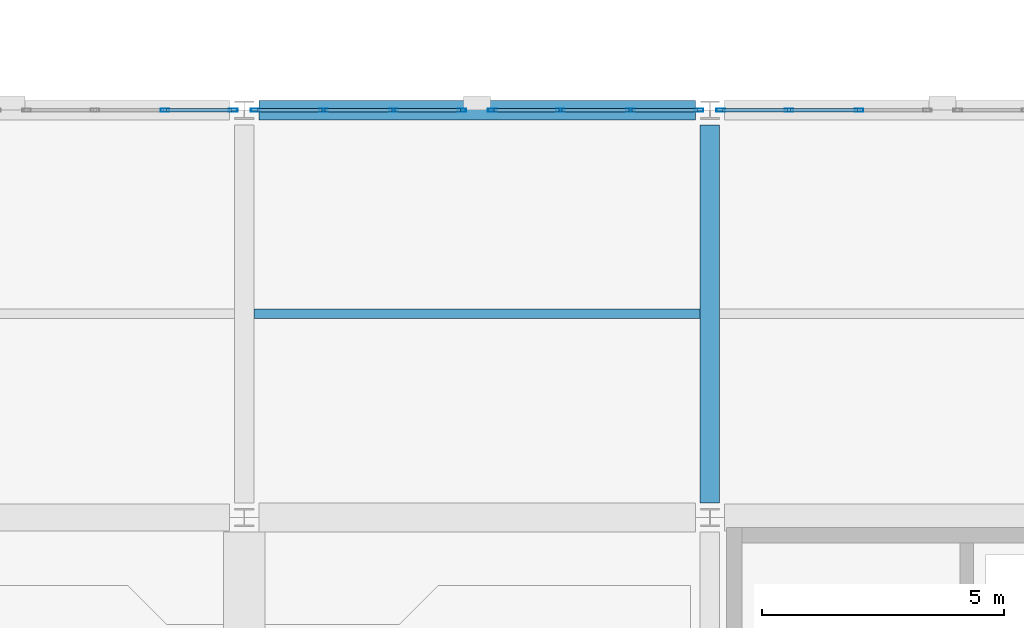
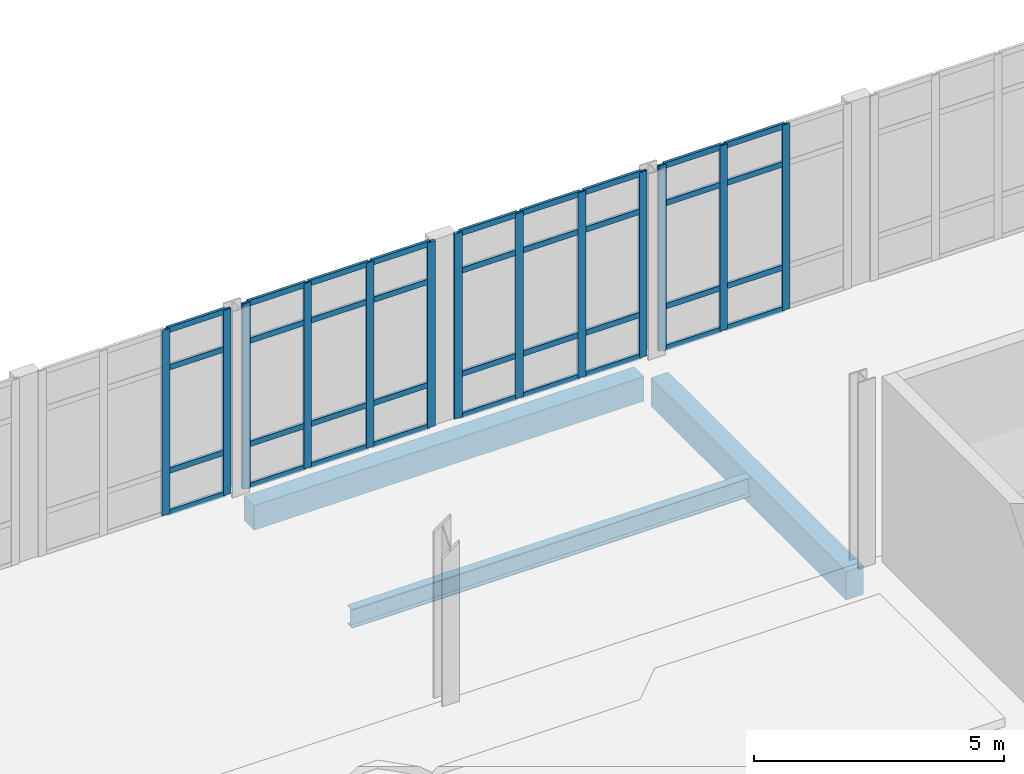
# One storey, part 57 of 102: 49 members, 3 beams, 4 elements without a shape of their own.
"""IFC4 building model written with IfcOpenShell, lengths in metres."""

from ifc_helpers import new_model, si_unit, direction, frame, origin, origin_2d, place, context, subcontext, project, spatial, rectangle, hollow_rectangle, i_section, extrude, material, layer, layer_set, material_profile, profile_set, type_object, element, aggregate, save


model = new_model("IFC4")

# Units and contexts
model_context = context("Model", 3, precision=1e-05, world=origin(), true_north=direction((0.0, 1.0)))
body_context = subcontext(model_context, "Body", "Model", "MODEL_VIEW")
ifc_project = project(units=[si_unit("LENGTHUNIT", "METRE"), si_unit("AREAUNIT", "SQUARE_METRE"), si_unit("VOLUMEUNIT", "CUBIC_METRE"), si_unit("PLANEANGLEUNIT", "RADIAN"), si_unit("MASSUNIT", "GRAM", prefix="KILO")], contexts=[model_context])

# Site, building, storey
site_placement = place(None, origin())
site = spatial("IfcSite", under=ifc_project, at=site_placement, CompositionType="ELEMENT")
building_placement = place(site_placement, origin())
building = spatial("IfcBuilding", under=site, at=building_placement, Name="Lornevale Opera House", CompositionType="ELEMENT")
storey_placement = place(building_placement, frame((0.0, 0.0, 5.39990234375)))
storey = spatial("IfcBuildingStorey", under=building, at=storey_placement, Name="L02", CompositionType="ELEMENT", Elevation=5.39990234375)

# Beams
ifc_material_1 = material(Name="Concrete 35 MPa (CSA A23.1 N)", Category="concrete")
ifc_material_profile_1 = material_profile(ifc_material_1, rectangle(XDim=0.39990234375, YDim=0.699951171875, at=origin_2d()), Name="RC400x700")
ifc_profile_set_1 = profile_set([ifc_material_profile_1], Name="Concrete 35 MPa (CSA A23.1 N)")
beam_type_1 = type_object("IfcBeamType", Name="Concrete Floor Beam 400x700", PredefinedType="USERDEFINED", material=ifc_profile_set_1)
beam_1_placement = place(storey_placement, frame((19.199951171875, 92.699951171875, -0.699951171875), z_axis=(0.0, 1.0, 0.0), x_axis=(-1.0, 0.0, 0.0)))
element("IfcBeam", 1, at=beam_1_placement, inside=storey, type_object=beam_type_1, Name="Concrete Floor Beam 400x700 1844", ObjectType="GIRDER", PredefinedType="USERDEFINED", context=body_context, shape_type="SweptSolid", body=[
    extrude(rectangle(XDim=0.39990234375, YDim=0.699951171875, at=origin_2d()), origin(), (0.0, 0.0, 1.0), 7.800048828125),
])
ifc_material_profile_2 = material_profile(ifc_material_1, rectangle(XDim=0.39990234375, YDim=0.60009765625, at=origin_2d()), Name="RC400x600")
ifc_profile_set_2 = profile_set([ifc_material_profile_2], Name="Concrete 35 MPa (CSA A23.1 N)")
beam_type_2 = type_object("IfcBeamType", Name="Concrete Spandrel Beam 400x600", PredefinedType="SPANDREL", material=ifc_profile_set_2)
beam_2_placement = place(storey_placement, frame((9.89990234375, 100.800048828125, -0.64990234375), z_axis=(1.0, 0.0, 0.0), x_axis=(0.0, 1.0, 0.0)))
element("IfcBeam", 2, at=beam_2_placement, inside=storey, type_object=beam_type_2, Name="Concrete Spandrel Beam 400x600 1806", PredefinedType="SPANDREL", context=body_context, shape_type="SweptSolid", body=[
    extrude(rectangle(XDim=0.39990234375, YDim=0.60009765625, at=origin_2d()), origin(), (0.0, 0.0, 1.0), 9.0),
])

# Curtain wall, members
ifc_material_2 = material(Name="Anodized Oxide-Green Aluminium Framing", Category="aluminium")
ifc_layer = layer(ifc_material_2, 0.175048828125)
ifc_layer_set = layer_set([ifc_layer], Name="Anodized Oxide-Green Aluminium Framing")
curtain_wall_type = type_object("IfcCurtainWallType", Name="Chamber Cloister Curtain Wall M1700", PredefinedType="NOTDEFINED", material=ifc_layer_set)
curtain_wall_1_placement = place(storey_placement, origin())
curtain_wall_1 = element("IfcCurtainWall", 3, at=curtain_wall_1_placement, inside=storey, type_object=curtain_wall_type, Name="Chamber Cloister Curtain Wall M1700 CW-028", PredefinedType="NOTDEFINED")
ifc_material_profile_3 = material_profile(ifc_material_2, hollow_rectangle(XDim=0.06494140625, YDim=0.179931640625, WallThickness=0.0048828125, at=origin_2d()), Name="ALU65x180x5")
ifc_profile_set_3 = profile_set([ifc_material_profile_3], Name="Anodized Oxide-Green Aluminium Framing")
member_type_1 = type_object("IfcMemberType", Name="Curtain Wall Mullion 65x180", PredefinedType="MULLION", material=ifc_profile_set_3)
member_1_placement = place(storey_placement, frame((7.964599609375, 100.800048828125, 0.0), z_axis=(0.0, 0.0, 1.0), x_axis=(0.0, 1.0, 0.0)))
member_1 = element("IfcMember", 4, at=member_1_placement, type_object=member_type_1, Name="Curtain Wall Mullion 65x180 CW0510", PredefinedType="MULLION", context=body_context, shape_type="SweptSolid", body=[
    extrude(hollow_rectangle(XDim=0.06494140625, YDim=0.179931640625, WallThickness=0.0048828125, at=origin_2d()), origin(), (0.0, 0.0, 1.0), 4.52001953125),
])
member_2_placement = place(storey_placement, frame((9.37451171875, 100.800048828125, 0.0), z_axis=(0.0, 0.0, 1.0), x_axis=(0.0, 1.0, 0.0)))
member_2 = element("IfcMember", 5, at=member_2_placement, type_object=member_type_1, Name="Curtain Wall Mullion 65x180 CW0511", PredefinedType="MULLION", context=body_context, shape_type="SweptSolid", body=[
    extrude(hollow_rectangle(XDim=0.06494140625, YDim=0.179931640625, WallThickness=0.0048828125, at=origin_2d()), origin(), (0.0, 0.0, 1.0), 4.52001953125),
])

curtain_wall_2_placement = place(storey_placement, origin())
curtain_wall_2 = element("IfcCurtainWall", 6, at=curtain_wall_2_placement, inside=storey, type_object=curtain_wall_type, Name="Chamber Cloister Curtain Wall M1700 CW-035", PredefinedType="NOTDEFINED")
member_3_placement = place(storey_placement, frame((9.825439453125, 100.800048828125, 0.0), z_axis=(0.0, 0.0, 1.0), x_axis=(0.0, 1.0, 0.0)))
member_3 = element("IfcMember", 7, at=member_3_placement, type_object=member_type_1, Name="Curtain Wall Mullion 65x180 CW0683", PredefinedType="MULLION", context=body_context, shape_type="SweptSolid", body=[
    extrude(hollow_rectangle(XDim=0.06494140625, YDim=0.179931640625, WallThickness=0.0048828125, at=origin_2d()), origin(), (0.0, 0.0, 1.0), 4.52001953125),
])
member_4_placement = place(storey_placement, frame((11.2353515625, 100.800048828125, 0.0), z_axis=(0.0, 0.0, 1.0), x_axis=(0.0, 1.0, 0.0)))
member_4 = element("IfcMember", 8, at=member_4_placement, type_object=member_type_1, Name="Curtain Wall Mullion 65x180 CW0684", PredefinedType="MULLION", context=body_context, shape_type="SweptSolid", body=[
    extrude(hollow_rectangle(XDim=0.06494140625, YDim=0.179931640625, WallThickness=0.0048828125, at=origin_2d()), origin(), (0.0, 0.0, 1.0), 4.52001953125),
])
member_5_placement = place(storey_placement, frame((12.677734375, 100.800048828125, 0.0), z_axis=(0.0, 0.0, 1.0), x_axis=(0.0, 1.0, 0.0)))
member_5 = element("IfcMember", 9, at=member_5_placement, type_object=member_type_1, Name="Curtain Wall Mullion 65x180 CW0685", PredefinedType="MULLION", context=body_context, shape_type="SweptSolid", body=[
    extrude(hollow_rectangle(XDim=0.06494140625, YDim=0.179931640625, WallThickness=0.0048828125, at=origin_2d()), origin(), (0.0, 0.0, 1.0), 4.52001953125),
])
member_6_placement = place(storey_placement, frame((14.08740234375, 100.800048828125, 0.0), z_axis=(0.0, 0.0, 1.0), x_axis=(0.0, 1.0, 0.0)))
member_6 = element("IfcMember", 10, at=member_6_placement, type_object=member_type_1, Name="Curtain Wall Mullion 65x180 CW0686", PredefinedType="MULLION", context=body_context, shape_type="SweptSolid", body=[
    extrude(hollow_rectangle(XDim=0.06494140625, YDim=0.179931640625, WallThickness=0.0048828125, at=origin_2d()), origin(), (0.0, 0.0, 1.0), 4.52001953125),
])

curtain_wall_3_placement = place(storey_placement, origin())
curtain_wall_3 = element("IfcCurtainWall", 11, at=curtain_wall_3_placement, inside=storey, type_object=curtain_wall_type, Name="Chamber Cloister Curtain Wall M1700 CW-036", PredefinedType="NOTDEFINED")
member_7_placement = place(storey_placement, frame((14.71240234375, 100.800048828125, 0.0), z_axis=(0.0, 0.0, 1.0), x_axis=(0.0, 1.0, 0.0)))
member_7 = element("IfcMember", 12, at=member_7_placement, type_object=member_type_1, Name="Curtain Wall Mullion 65x180 CW0708", PredefinedType="MULLION", context=body_context, shape_type="SweptSolid", body=[
    extrude(hollow_rectangle(XDim=0.06494140625, YDim=0.179931640625, WallThickness=0.0048828125, at=origin_2d()), origin(), (0.0, 0.0, 1.0), 4.52001953125),
])
member_8_placement = place(storey_placement, frame((16.122314453125, 100.800048828125, 0.0), z_axis=(0.0, 0.0, 1.0), x_axis=(0.0, 1.0, 0.0)))
member_8 = element("IfcMember", 13, at=member_8_placement, type_object=member_type_1, Name="Curtain Wall Mullion 65x180 CW0709", PredefinedType="MULLION", context=body_context, shape_type="SweptSolid", body=[
    extrude(hollow_rectangle(XDim=0.06494140625, YDim=0.179931640625, WallThickness=0.0048828125, at=origin_2d()), origin(), (0.0, 0.0, 1.0), 4.52001953125),
])
member_9_placement = place(storey_placement, frame((17.564697265625, 100.800048828125, 0.0), z_axis=(0.0, 0.0, 1.0), x_axis=(0.0, 1.0, 0.0)))
member_9 = element("IfcMember", 14, at=member_9_placement, type_object=member_type_1, Name="Curtain Wall Mullion 65x180 CW0710", PredefinedType="MULLION", context=body_context, shape_type="SweptSolid", body=[
    extrude(hollow_rectangle(XDim=0.06494140625, YDim=0.179931640625, WallThickness=0.0048828125, at=origin_2d()), origin(), (0.0, 0.0, 1.0), 4.52001953125),
])
member_10_placement = place(storey_placement, frame((18.974609375, 100.800048828125, 0.0), z_axis=(0.0, 0.0, 1.0), x_axis=(0.0, 1.0, 0.0)))
member_10 = element("IfcMember", 15, at=member_10_placement, type_object=member_type_1, Name="Curtain Wall Mullion 65x180 CW0711", PredefinedType="MULLION", context=body_context, shape_type="SweptSolid", body=[
    extrude(hollow_rectangle(XDim=0.06494140625, YDim=0.179931640625, WallThickness=0.0048828125, at=origin_2d()), origin(), (0.0, 0.0, 1.0), 4.52001953125),
])

curtain_wall_4_placement = place(storey_placement, origin())
curtain_wall_4 = element("IfcCurtainWall", 16, at=curtain_wall_4_placement, inside=storey, type_object=curtain_wall_type, Name="Chamber Cloister Curtain Wall M1700 CW-043", PredefinedType="NOTDEFINED")
member_11_placement = place(storey_placement, frame((19.425537109375, 100.800048828125, 0.0), z_axis=(0.0, 0.0, 1.0), x_axis=(0.0, 1.0, 0.0)))
member_11 = element("IfcMember", 17, at=member_11_placement, type_object=member_type_1, Name="Curtain Wall Mullion 65x180 CW0883", PredefinedType="MULLION", context=body_context, shape_type="SweptSolid", body=[
    extrude(hollow_rectangle(XDim=0.06494140625, YDim=0.179931640625, WallThickness=0.0048828125, at=origin_2d()), origin(), (0.0, 0.0, 1.0), 4.52001953125),
])
member_12_placement = place(storey_placement, frame((20.835205078125, 100.800048828125, 0.0), z_axis=(0.0, 0.0, 1.0), x_axis=(0.0, 1.0, 0.0)))
member_12 = element("IfcMember", 18, at=member_12_placement, type_object=member_type_1, Name="Curtain Wall Mullion 65x180 CW0884", PredefinedType="MULLION", context=body_context, shape_type="SweptSolid", body=[
    extrude(hollow_rectangle(XDim=0.06494140625, YDim=0.179931640625, WallThickness=0.0048828125, at=origin_2d()), origin(), (0.0, 0.0, 1.0), 4.52001953125),
])
member_13_placement = place(storey_placement, frame((22.277587890625, 100.800048828125, 0.0), z_axis=(0.0, 0.0, 1.0), x_axis=(0.0, 1.0, 0.0)))
member_13 = element("IfcMember", 19, at=member_13_placement, type_object=member_type_1, Name="Curtain Wall Mullion 65x180 CW0885", PredefinedType="MULLION", context=body_context, shape_type="SweptSolid", body=[
    extrude(hollow_rectangle(XDim=0.06494140625, YDim=0.179931640625, WallThickness=0.0048828125, at=origin_2d()), origin(), (0.0, 0.0, 1.0), 4.52001953125),
])

# Member
ifc_material_profile_4 = material_profile(ifc_material_2, hollow_rectangle(XDim=0.06494140625, YDim=0.135009765625, WallThickness=0.00390625, at=origin_2d()), Name="ALU65x135x4")
ifc_profile_set_4 = profile_set([ifc_material_profile_4], Name="Anodized Oxide-Green Aluminium Framing")
member_type_2 = type_object("IfcMemberType", Name="Curtain Wall Transom 65x135", PredefinedType="USERDEFINED", material=ifc_profile_set_4)
member_14_placement = place(storey_placement, frame((7.997314453125, 100.800048828125, 0.03271484375), z_axis=(1.0, 0.0, 0.0), x_axis=(0.0, 1.0, 0.0)))
member_14 = element("IfcMember", 20, at=member_14_placement, type_object=member_type_2, Name="Curtain Wall Transom 65x135 CW0526", ObjectType="TRANSOM", PredefinedType="USERDEFINED", context=body_context, shape_type="SweptSolid", body=[
    extrude(hollow_rectangle(XDim=0.06494140625, YDim=0.135009765625, WallThickness=0.00390625, at=origin_2d()), origin(), (0.0, 0.0, 1.0), 1.3447265625),
])

member_15_placement = place(storey_placement, frame((7.997314453125, 100.800048828125, 1.050048828125), z_axis=(1.0, 0.0, 0.0), x_axis=(0.0, 1.0, 0.0)))
member_15 = element("IfcMember", 21, at=member_15_placement, type_object=member_type_2, Name="Curtain Wall Transom 65x135 CW0527", ObjectType="TRANSOM", PredefinedType="USERDEFINED", context=body_context, shape_type="SweptSolid", body=[
    extrude(hollow_rectangle(XDim=0.06494140625, YDim=0.135009765625, WallThickness=0.00390625, at=origin_2d()), origin(), (0.0, 0.0, 1.0), 1.3447265625),
])

member_16_placement = place(storey_placement, frame((7.997314453125, 100.800048828125, 3.570068359375), z_axis=(1.0, 0.0, 0.0), x_axis=(0.0, 1.0, 0.0)))
member_16 = element("IfcMember", 22, at=member_16_placement, type_object=member_type_2, Name="Curtain Wall Transom 65x135 CW0528", ObjectType="TRANSOM", PredefinedType="USERDEFINED", context=body_context, shape_type="SweptSolid", body=[
    extrude(hollow_rectangle(XDim=0.06494140625, YDim=0.135009765625, WallThickness=0.00390625, at=origin_2d()), origin(), (0.0, 0.0, 1.0), 1.3447265625),
])

member_17_placement = place(storey_placement, frame((7.997314453125, 100.800048828125, 4.487548828125), z_axis=(1.0, 0.0, 0.0), x_axis=(0.0, 1.0, 0.0)))
member_17 = element("IfcMember", 23, at=member_17_placement, type_object=member_type_2, Name="Curtain Wall Transom 65x135 CW0529", ObjectType="TRANSOM", PredefinedType="USERDEFINED", context=body_context, shape_type="SweptSolid", body=[
    extrude(hollow_rectangle(XDim=0.06494140625, YDim=0.135009765625, WallThickness=0.00390625, at=origin_2d()), origin(), (0.0, 0.0, 1.0), 1.3447265625),
])

aggregate(curtain_wall_1, [member_1, member_2, member_14, member_15, member_16, member_17])

member_18_placement = place(storey_placement, frame((9.85791015625, 100.800048828125, 0.03271484375), z_axis=(1.0, 0.0, 0.0), x_axis=(0.0, 1.0, 0.0)))
member_18 = element("IfcMember", 24, at=member_18_placement, type_object=member_type_2, Name="Curtain Wall Transom 65x135 CW0687", ObjectType="TRANSOM", PredefinedType="USERDEFINED", context=body_context, shape_type="SweptSolid", body=[
    extrude(hollow_rectangle(XDim=0.06494140625, YDim=0.135009765625, WallThickness=0.00390625, at=origin_2d()), origin(), (0.0, 0.0, 1.0), 1.344970703125),
])

member_19_placement = place(storey_placement, frame((9.85791015625, 100.800048828125, 1.050048828125), z_axis=(1.0, 0.0, 0.0), x_axis=(0.0, 1.0, 0.0)))
member_19 = element("IfcMember", 25, at=member_19_placement, type_object=member_type_2, Name="Curtain Wall Transom 65x135 CW0688", ObjectType="TRANSOM", PredefinedType="USERDEFINED", context=body_context, shape_type="SweptSolid", body=[
    extrude(hollow_rectangle(XDim=0.06494140625, YDim=0.135009765625, WallThickness=0.00390625, at=origin_2d()), origin(), (0.0, 0.0, 1.0), 1.344970703125),
])

member_20_placement = place(storey_placement, frame((9.85791015625, 100.800048828125, 3.570068359375), z_axis=(1.0, 0.0, 0.0), x_axis=(0.0, 1.0, 0.0)))
member_20 = element("IfcMember", 26, at=member_20_placement, type_object=member_type_2, Name="Curtain Wall Transom 65x135 CW0689", ObjectType="TRANSOM", PredefinedType="USERDEFINED", context=body_context, shape_type="SweptSolid", body=[
    extrude(hollow_rectangle(XDim=0.06494140625, YDim=0.135009765625, WallThickness=0.00390625, at=origin_2d()), origin(), (0.0, 0.0, 1.0), 1.344970703125),
])

member_21_placement = place(storey_placement, frame((9.85791015625, 100.800048828125, 4.487548828125), z_axis=(1.0, 0.0, 0.0), x_axis=(0.0, 1.0, 0.0)))
member_21 = element("IfcMember", 27, at=member_21_placement, type_object=member_type_2, Name="Curtain Wall Transom 65x135 CW0690", ObjectType="TRANSOM", PredefinedType="USERDEFINED", context=body_context, shape_type="SweptSolid", body=[
    extrude(hollow_rectangle(XDim=0.06494140625, YDim=0.135009765625, WallThickness=0.00390625, at=origin_2d()), origin(), (0.0, 0.0, 1.0), 1.344970703125),
])

member_22_placement = place(storey_placement, frame((11.267822265625, 100.800048828125, 0.03271484375), z_axis=(1.0, 0.0, 0.0), x_axis=(0.0, 1.0, 0.0)))
member_22 = element("IfcMember", 28, at=member_22_placement, type_object=member_type_2, Name="Curtain Wall Transom 65x135 CW0694", ObjectType="TRANSOM", PredefinedType="USERDEFINED", context=body_context, shape_type="SweptSolid", body=[
    extrude(hollow_rectangle(XDim=0.06494140625, YDim=0.135009765625, WallThickness=0.00390625, at=origin_2d()), origin(), (0.0, 0.0, 1.0), 1.37744140625),
])

member_23_placement = place(storey_placement, frame((11.267822265625, 100.800048828125, 1.050048828125), z_axis=(1.0, 0.0, 0.0), x_axis=(0.0, 1.0, 0.0)))
member_23 = element("IfcMember", 29, at=member_23_placement, type_object=member_type_2, Name="Curtain Wall Transom 65x135 CW0695", ObjectType="TRANSOM", PredefinedType="USERDEFINED", context=body_context, shape_type="SweptSolid", body=[
    extrude(hollow_rectangle(XDim=0.06494140625, YDim=0.135009765625, WallThickness=0.00390625, at=origin_2d()), origin(), (0.0, 0.0, 1.0), 1.37744140625),
])

member_24_placement = place(storey_placement, frame((11.267822265625, 100.800048828125, 3.570068359375), z_axis=(1.0, 0.0, 0.0), x_axis=(0.0, 1.0, 0.0)))
member_24 = element("IfcMember", 30, at=member_24_placement, type_object=member_type_2, Name="Curtain Wall Transom 65x135 CW0696", ObjectType="TRANSOM", PredefinedType="USERDEFINED", context=body_context, shape_type="SweptSolid", body=[
    extrude(hollow_rectangle(XDim=0.06494140625, YDim=0.135009765625, WallThickness=0.00390625, at=origin_2d()), origin(), (0.0, 0.0, 1.0), 1.37744140625),
])

member_25_placement = place(storey_placement, frame((11.267822265625, 100.800048828125, 4.487548828125), z_axis=(1.0, 0.0, 0.0), x_axis=(0.0, 1.0, 0.0)))
member_25 = element("IfcMember", 31, at=member_25_placement, type_object=member_type_2, Name="Curtain Wall Transom 65x135 CW0697", ObjectType="TRANSOM", PredefinedType="USERDEFINED", context=body_context, shape_type="SweptSolid", body=[
    extrude(hollow_rectangle(XDim=0.06494140625, YDim=0.135009765625, WallThickness=0.00390625, at=origin_2d()), origin(), (0.0, 0.0, 1.0), 1.37744140625),
])

member_26_placement = place(storey_placement, frame((12.710205078125, 100.800048828125, 0.03271484375), z_axis=(1.0, 0.0, 0.0), x_axis=(0.0, 1.0, 0.0)))
member_26 = element("IfcMember", 32, at=member_26_placement, type_object=member_type_2, Name="Curtain Wall Transom 65x135 CW0701", ObjectType="TRANSOM", PredefinedType="USERDEFINED", context=body_context, shape_type="SweptSolid", body=[
    extrude(hollow_rectangle(XDim=0.06494140625, YDim=0.135009765625, WallThickness=0.00390625, at=origin_2d()), origin(), (0.0, 0.0, 1.0), 1.3447265625),
])

member_27_placement = place(storey_placement, frame((12.710205078125, 100.800048828125, 1.050048828125), z_axis=(1.0, 0.0, 0.0), x_axis=(0.0, 1.0, 0.0)))
member_27 = element("IfcMember", 33, at=member_27_placement, type_object=member_type_2, Name="Curtain Wall Transom 65x135 CW0702", ObjectType="TRANSOM", PredefinedType="USERDEFINED", context=body_context, shape_type="SweptSolid", body=[
    extrude(hollow_rectangle(XDim=0.06494140625, YDim=0.135009765625, WallThickness=0.00390625, at=origin_2d()), origin(), (0.0, 0.0, 1.0), 1.3447265625),
])

member_28_placement = place(storey_placement, frame((12.710205078125, 100.800048828125, 3.570068359375), z_axis=(1.0, 0.0, 0.0), x_axis=(0.0, 1.0, 0.0)))
member_28 = element("IfcMember", 34, at=member_28_placement, type_object=member_type_2, Name="Curtain Wall Transom 65x135 CW0703", ObjectType="TRANSOM", PredefinedType="USERDEFINED", context=body_context, shape_type="SweptSolid", body=[
    extrude(hollow_rectangle(XDim=0.06494140625, YDim=0.135009765625, WallThickness=0.00390625, at=origin_2d()), origin(), (0.0, 0.0, 1.0), 1.3447265625),
])

member_29_placement = place(storey_placement, frame((12.710205078125, 100.800048828125, 4.487548828125), z_axis=(1.0, 0.0, 0.0), x_axis=(0.0, 1.0, 0.0)))
member_29 = element("IfcMember", 35, at=member_29_placement, type_object=member_type_2, Name="Curtain Wall Transom 65x135 CW0704", ObjectType="TRANSOM", PredefinedType="USERDEFINED", context=body_context, shape_type="SweptSolid", body=[
    extrude(hollow_rectangle(XDim=0.06494140625, YDim=0.135009765625, WallThickness=0.00390625, at=origin_2d()), origin(), (0.0, 0.0, 1.0), 1.3447265625),
])

aggregate(curtain_wall_2, [member_3, member_4, member_5, member_6, member_18, member_19, member_20, member_21, member_22, member_23, member_24, member_25, member_26, member_27, member_28, member_29])

member_30_placement = place(storey_placement, frame((14.7451171875, 100.800048828125, 0.03271484375), z_axis=(1.0, 0.0, 0.0), x_axis=(0.0, 1.0, 0.0)))
member_30 = element("IfcMember", 36, at=member_30_placement, type_object=member_type_2, Name="Curtain Wall Transom 65x135 CW0712", ObjectType="TRANSOM", PredefinedType="USERDEFINED", context=body_context, shape_type="SweptSolid", body=[
    extrude(hollow_rectangle(XDim=0.06494140625, YDim=0.135009765625, WallThickness=0.00390625, at=origin_2d()), origin(), (0.0, 0.0, 1.0), 1.3447265625),
])

member_31_placement = place(storey_placement, frame((14.7451171875, 100.800048828125, 1.050048828125), z_axis=(1.0, 0.0, 0.0), x_axis=(0.0, 1.0, 0.0)))
member_31 = element("IfcMember", 37, at=member_31_placement, type_object=member_type_2, Name="Curtain Wall Transom 65x135 CW0713", ObjectType="TRANSOM", PredefinedType="USERDEFINED", context=body_context, shape_type="SweptSolid", body=[
    extrude(hollow_rectangle(XDim=0.06494140625, YDim=0.135009765625, WallThickness=0.00390625, at=origin_2d()), origin(), (0.0, 0.0, 1.0), 1.3447265625),
])

member_32_placement = place(storey_placement, frame((14.7451171875, 100.800048828125, 3.570068359375), z_axis=(1.0, 0.0, 0.0), x_axis=(0.0, 1.0, 0.0)))
member_32 = element("IfcMember", 38, at=member_32_placement, type_object=member_type_2, Name="Curtain Wall Transom 65x135 CW0714", ObjectType="TRANSOM", PredefinedType="USERDEFINED", context=body_context, shape_type="SweptSolid", body=[
    extrude(hollow_rectangle(XDim=0.06494140625, YDim=0.135009765625, WallThickness=0.00390625, at=origin_2d()), origin(), (0.0, 0.0, 1.0), 1.3447265625),
])

member_33_placement = place(storey_placement, frame((14.7451171875, 100.800048828125, 4.487548828125), z_axis=(1.0, 0.0, 0.0), x_axis=(0.0, 1.0, 0.0)))
member_33 = element("IfcMember", 39, at=member_33_placement, type_object=member_type_2, Name="Curtain Wall Transom 65x135 CW0715", ObjectType="TRANSOM", PredefinedType="USERDEFINED", context=body_context, shape_type="SweptSolid", body=[
    extrude(hollow_rectangle(XDim=0.06494140625, YDim=0.135009765625, WallThickness=0.00390625, at=origin_2d()), origin(), (0.0, 0.0, 1.0), 1.3447265625),
])

member_34_placement = place(storey_placement, frame((16.15478515625, 100.800048828125, 0.03271484375), z_axis=(1.0, 0.0, 0.0), x_axis=(0.0, 1.0, 0.0)))
member_34 = element("IfcMember", 40, at=member_34_placement, type_object=member_type_2, Name="Curtain Wall Transom 65x135 CW0719", ObjectType="TRANSOM", PredefinedType="USERDEFINED", context=body_context, shape_type="SweptSolid", body=[
    extrude(hollow_rectangle(XDim=0.06494140625, YDim=0.135009765625, WallThickness=0.00390625, at=origin_2d()), origin(), (0.0, 0.0, 1.0), 1.37744140625),
])

member_35_placement = place(storey_placement, frame((16.15478515625, 100.800048828125, 1.050048828125), z_axis=(1.0, 0.0, 0.0), x_axis=(0.0, 1.0, 0.0)))
member_35 = element("IfcMember", 41, at=member_35_placement, type_object=member_type_2, Name="Curtain Wall Transom 65x135 CW0720", ObjectType="TRANSOM", PredefinedType="USERDEFINED", context=body_context, shape_type="SweptSolid", body=[
    extrude(hollow_rectangle(XDim=0.06494140625, YDim=0.135009765625, WallThickness=0.00390625, at=origin_2d()), origin(), (0.0, 0.0, 1.0), 1.37744140625),
])

member_36_placement = place(storey_placement, frame((16.15478515625, 100.800048828125, 3.570068359375), z_axis=(1.0, 0.0, 0.0), x_axis=(0.0, 1.0, 0.0)))
member_36 = element("IfcMember", 42, at=member_36_placement, type_object=member_type_2, Name="Curtain Wall Transom 65x135 CW0721", ObjectType="TRANSOM", PredefinedType="USERDEFINED", context=body_context, shape_type="SweptSolid", body=[
    extrude(hollow_rectangle(XDim=0.06494140625, YDim=0.135009765625, WallThickness=0.00390625, at=origin_2d()), origin(), (0.0, 0.0, 1.0), 1.37744140625),
])

member_37_placement = place(storey_placement, frame((16.15478515625, 100.800048828125, 4.487548828125), z_axis=(1.0, 0.0, 0.0), x_axis=(0.0, 1.0, 0.0)))
member_37 = element("IfcMember", 43, at=member_37_placement, type_object=member_type_2, Name="Curtain Wall Transom 65x135 CW0722", ObjectType="TRANSOM", PredefinedType="USERDEFINED", context=body_context, shape_type="SweptSolid", body=[
    extrude(hollow_rectangle(XDim=0.06494140625, YDim=0.135009765625, WallThickness=0.00390625, at=origin_2d()), origin(), (0.0, 0.0, 1.0), 1.37744140625),
])

member_38_placement = place(storey_placement, frame((17.59716796875, 100.800048828125, 0.03271484375), z_axis=(1.0, 0.0, 0.0), x_axis=(0.0, 1.0, 0.0)))
member_38 = element("IfcMember", 44, at=member_38_placement, type_object=member_type_2, Name="Curtain Wall Transom 65x135 CW0726", ObjectType="TRANSOM", PredefinedType="USERDEFINED", context=body_context, shape_type="SweptSolid", body=[
    extrude(hollow_rectangle(XDim=0.06494140625, YDim=0.135009765625, WallThickness=0.00390625, at=origin_2d()), origin(), (0.0, 0.0, 1.0), 1.3447265625),
])

member_39_placement = place(storey_placement, frame((17.59716796875, 100.800048828125, 1.050048828125), z_axis=(1.0, 0.0, 0.0), x_axis=(0.0, 1.0, 0.0)))
member_39 = element("IfcMember", 45, at=member_39_placement, type_object=member_type_2, Name="Curtain Wall Transom 65x135 CW0727", ObjectType="TRANSOM", PredefinedType="USERDEFINED", context=body_context, shape_type="SweptSolid", body=[
    extrude(hollow_rectangle(XDim=0.06494140625, YDim=0.135009765625, WallThickness=0.00390625, at=origin_2d()), origin(), (0.0, 0.0, 1.0), 1.3447265625),
])

member_40_placement = place(storey_placement, frame((17.59716796875, 100.800048828125, 3.570068359375), z_axis=(1.0, 0.0, 0.0), x_axis=(0.0, 1.0, 0.0)))
member_40 = element("IfcMember", 46, at=member_40_placement, type_object=member_type_2, Name="Curtain Wall Transom 65x135 CW0728", ObjectType="TRANSOM", PredefinedType="USERDEFINED", context=body_context, shape_type="SweptSolid", body=[
    extrude(hollow_rectangle(XDim=0.06494140625, YDim=0.135009765625, WallThickness=0.00390625, at=origin_2d()), origin(), (0.0, 0.0, 1.0), 1.3447265625),
])

member_41_placement = place(storey_placement, frame((17.59716796875, 100.800048828125, 4.487548828125), z_axis=(1.0, 0.0, 0.0), x_axis=(0.0, 1.0, 0.0)))
member_41 = element("IfcMember", 47, at=member_41_placement, type_object=member_type_2, Name="Curtain Wall Transom 65x135 CW0729", ObjectType="TRANSOM", PredefinedType="USERDEFINED", context=body_context, shape_type="SweptSolid", body=[
    extrude(hollow_rectangle(XDim=0.06494140625, YDim=0.135009765625, WallThickness=0.00390625, at=origin_2d()), origin(), (0.0, 0.0, 1.0), 1.3447265625),
])

aggregate(curtain_wall_3, [member_7, member_8, member_9, member_10, member_30, member_31, member_32, member_33, member_34, member_35, member_36, member_37, member_38, member_39, member_40, member_41])

member_42_placement = place(storey_placement, frame((19.4580078125, 100.800048828125, 0.03271484375), z_axis=(1.0, 0.0, 0.0), x_axis=(0.0, 1.0, 0.0)))
member_42 = element("IfcMember", 48, at=member_42_placement, type_object=member_type_2, Name="Curtain Wall Transom 65x135 CW0887", ObjectType="TRANSOM", PredefinedType="USERDEFINED", context=body_context, shape_type="SweptSolid", body=[
    extrude(hollow_rectangle(XDim=0.06494140625, YDim=0.135009765625, WallThickness=0.00390625, at=origin_2d()), origin(), (0.0, 0.0, 1.0), 1.3447265625),
])

member_43_placement = place(storey_placement, frame((19.4580078125, 100.800048828125, 1.050048828125), z_axis=(1.0, 0.0, 0.0), x_axis=(0.0, 1.0, 0.0)))
member_43 = element("IfcMember", 49, at=member_43_placement, type_object=member_type_2, Name="Curtain Wall Transom 65x135 CW0888", ObjectType="TRANSOM", PredefinedType="USERDEFINED", context=body_context, shape_type="SweptSolid", body=[
    extrude(hollow_rectangle(XDim=0.06494140625, YDim=0.135009765625, WallThickness=0.00390625, at=origin_2d()), origin(), (0.0, 0.0, 1.0), 1.3447265625),
])

member_44_placement = place(storey_placement, frame((19.4580078125, 100.800048828125, 3.570068359375), z_axis=(1.0, 0.0, 0.0), x_axis=(0.0, 1.0, 0.0)))
member_44 = element("IfcMember", 50, at=member_44_placement, type_object=member_type_2, Name="Curtain Wall Transom 65x135 CW0889", ObjectType="TRANSOM", PredefinedType="USERDEFINED", context=body_context, shape_type="SweptSolid", body=[
    extrude(hollow_rectangle(XDim=0.06494140625, YDim=0.135009765625, WallThickness=0.00390625, at=origin_2d()), origin(), (0.0, 0.0, 1.0), 1.3447265625),
])

member_45_placement = place(storey_placement, frame((19.4580078125, 100.800048828125, 4.487548828125), z_axis=(1.0, 0.0, 0.0), x_axis=(0.0, 1.0, 0.0)))
member_45 = element("IfcMember", 51, at=member_45_placement, type_object=member_type_2, Name="Curtain Wall Transom 65x135 CW0890", ObjectType="TRANSOM", PredefinedType="USERDEFINED", context=body_context, shape_type="SweptSolid", body=[
    extrude(hollow_rectangle(XDim=0.06494140625, YDim=0.135009765625, WallThickness=0.00390625, at=origin_2d()), origin(), (0.0, 0.0, 1.0), 1.3447265625),
])

member_46_placement = place(storey_placement, frame((20.867919921875, 100.800048828125, 0.03271484375), z_axis=(1.0, 0.0, 0.0), x_axis=(0.0, 1.0, 0.0)))
member_46 = element("IfcMember", 52, at=member_46_placement, type_object=member_type_2, Name="Curtain Wall Transom 65x135 CW0894", ObjectType="TRANSOM", PredefinedType="USERDEFINED", context=body_context, shape_type="SweptSolid", body=[
    extrude(hollow_rectangle(XDim=0.06494140625, YDim=0.135009765625, WallThickness=0.00390625, at=origin_2d()), origin(), (0.0, 0.0, 1.0), 1.377197265625),
])

member_47_placement = place(storey_placement, frame((20.867919921875, 100.800048828125, 1.050048828125), z_axis=(1.0, 0.0, 0.0), x_axis=(0.0, 1.0, 0.0)))
member_47 = element("IfcMember", 53, at=member_47_placement, type_object=member_type_2, Name="Curtain Wall Transom 65x135 CW0895", ObjectType="TRANSOM", PredefinedType="USERDEFINED", context=body_context, shape_type="SweptSolid", body=[
    extrude(hollow_rectangle(XDim=0.06494140625, YDim=0.135009765625, WallThickness=0.00390625, at=origin_2d()), origin(), (0.0, 0.0, 1.0), 1.377197265625),
])

member_48_placement = place(storey_placement, frame((20.867919921875, 100.800048828125, 3.570068359375), z_axis=(1.0, 0.0, 0.0), x_axis=(0.0, 1.0, 0.0)))
member_48 = element("IfcMember", 54, at=member_48_placement, type_object=member_type_2, Name="Curtain Wall Transom 65x135 CW0896", ObjectType="TRANSOM", PredefinedType="USERDEFINED", context=body_context, shape_type="SweptSolid", body=[
    extrude(hollow_rectangle(XDim=0.06494140625, YDim=0.135009765625, WallThickness=0.00390625, at=origin_2d()), origin(), (0.0, 0.0, 1.0), 1.377197265625),
])

member_49_placement = place(storey_placement, frame((20.867919921875, 100.800048828125, 4.487548828125), z_axis=(1.0, 0.0, 0.0), x_axis=(0.0, 1.0, 0.0)))
member_49 = element("IfcMember", 55, at=member_49_placement, type_object=member_type_2, Name="Curtain Wall Transom 65x135 CW0897", ObjectType="TRANSOM", PredefinedType="USERDEFINED", context=body_context, shape_type="SweptSolid", body=[
    extrude(hollow_rectangle(XDim=0.06494140625, YDim=0.135009765625, WallThickness=0.00390625, at=origin_2d()), origin(), (0.0, 0.0, 1.0), 1.377197265625),
])

aggregate(curtain_wall_4, [member_11, member_12, member_13, member_42, member_43, member_44, member_45, member_46, member_47, member_48, member_49])

# Beam
ifc_material_3 = material(Name="Structural Steel CSA G40.21 Grade 350W (350 MPa)", Category="steel")
ifc_material_profile_5 = material_profile(ifc_material_3, i_section(OverallWidth=0.19189453125, OverallDepth=0.462890625, WebThickness=0.010498046875, FlangeThickness=0.017578125, at=origin_2d()), Name="W460x89")
ifc_profile_set_5 = profile_set([ifc_material_profile_5], Name="Structural Steel CSA G40.21 Grade 350W (350 MPa)")
beam_type_3 = type_object("IfcBeamType", Name="Steel Floor Joist W460x89", PredefinedType="JOIST", material=ifc_profile_set_5)
beam_3_placement = place(storey_placement, frame((9.800048828125, 96.60009765625, -0.596435546875), z_axis=(1.0, 0.0, 0.0), x_axis=(0.0, 1.0, 0.0)))
element("IfcBeam", 56, at=beam_3_placement, inside=storey, type_object=beam_type_3, Name="Steel Floor Joist W460x89 1984", PredefinedType="JOIST", context=body_context, shape_type="SweptSolid", body=[
    extrude(i_section(OverallWidth=0.19189453125, OverallDepth=0.462890625, WebThickness=0.010498046875, FlangeThickness=0.017578125, at=origin_2d()), origin(), (0.0, 0.0, 1.0), 9.199951171875),
])

save(model, "model.ifc")
